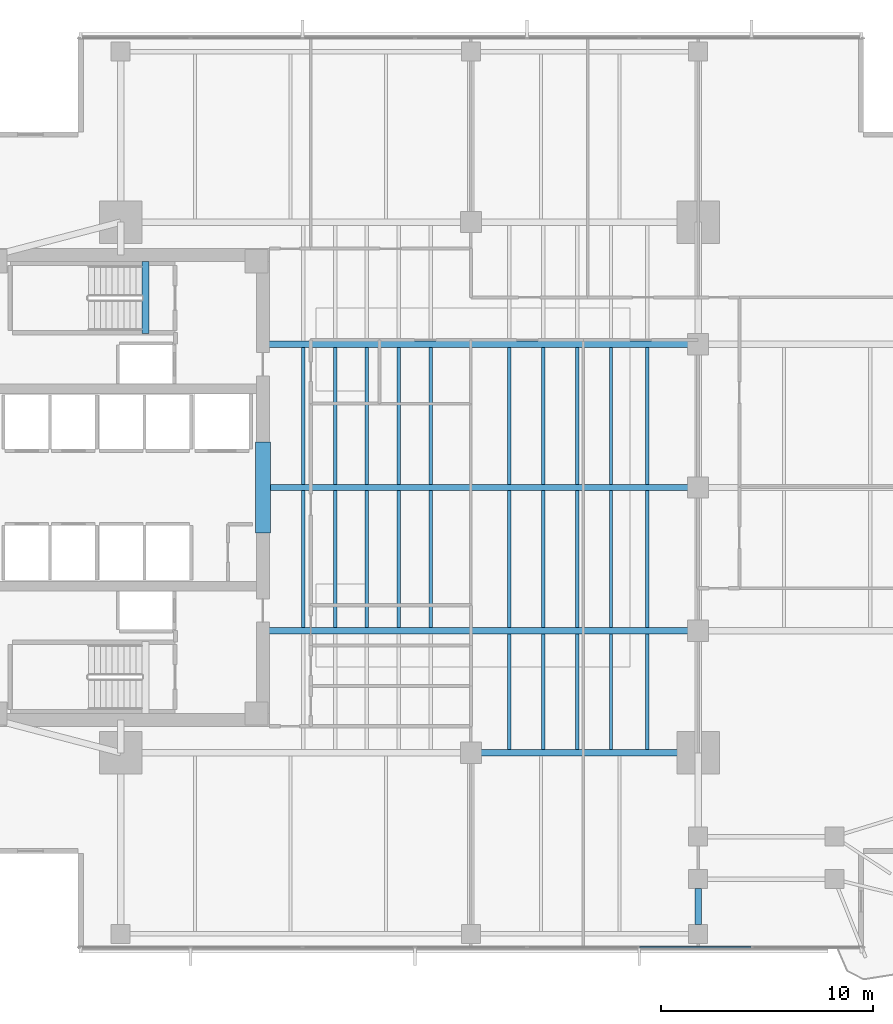
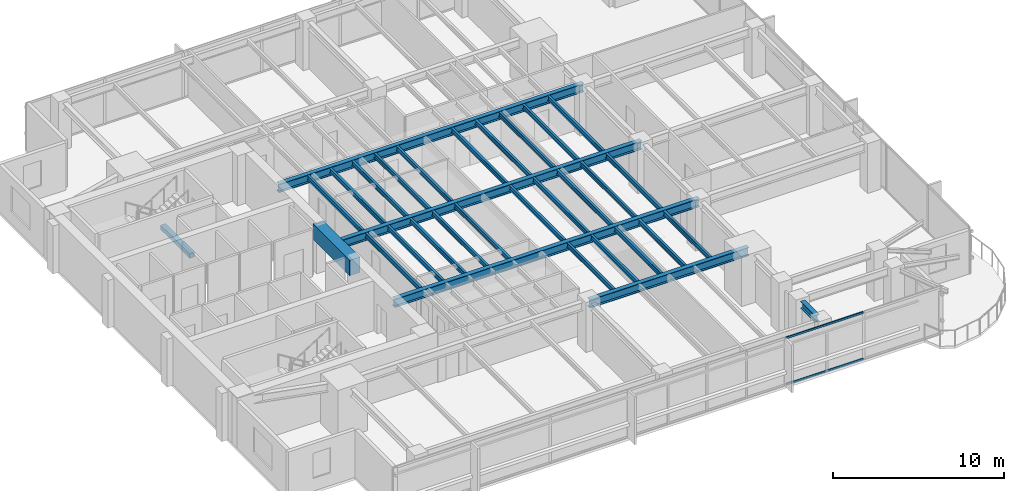
# One storey, part 3 of 14: 32 beams, 2 members, 1 element without a shape of its own.
"""IFC4 building model written with IfcOpenShell, lengths in metres."""

from ifc_helpers import new_model, si_unit, direction, frame, origin, origin_2d, place, context, subcontext, project, spatial, rectangle, i_section, extrude, material, layer, layer_set, material_profile, profile_set, type_object, element, aggregate, save


model = new_model("IFC4")

# Units and contexts
model_context = context("Model", 3, precision=1e-05, world=origin(), true_north=direction((0.0, 1.0)))
body_context = subcontext(model_context, "Body", "Model", "MODEL_VIEW")
ifc_project = project(units=[si_unit("LENGTHUNIT", "METRE"), si_unit("AREAUNIT", "SQUARE_METRE"), si_unit("VOLUMEUNIT", "CUBIC_METRE"), si_unit("PLANEANGLEUNIT", "RADIAN"), si_unit("MASSUNIT", "GRAM", prefix="KILO")], contexts=[model_context])

# Site, building, storey
site_placement = place(None, origin())
site = spatial("IfcSite", under=ifc_project, at=site_placement, CompositionType="ELEMENT")
building_placement = place(site_placement, origin())
building = spatial("IfcBuilding", under=site, at=building_placement, Name="Kinhvarn Gate Tower", CompositionType="ELEMENT")
storey_placement = place(building_placement, frame((0.0, 0.0, 120.0)))
storey = spatial("IfcBuildingStorey", under=building, at=storey_placement, Name="L31", CompositionType="ELEMENT", Elevation=120.0)

# Beams
ifc_material_1 = material(Name="Concrete C70/85", Category="concrete")
ifc_material_profile_1 = material_profile(ifc_material_1, rectangle(XDim=0.699951171875, YDim=1.10009765625, at=origin_2d()), Name="RC 700x1100")
ifc_profile_set_1 = profile_set([ifc_material_profile_1], Name="Concrete C70/85")
beam_type_1 = type_object("IfcBeamType", Name="BM-CB-1100", PredefinedType="LINTEL", material=ifc_profile_set_1)
beam_1_placement = place(storey_placement, frame((17.699951171875, 23.10009765625, 2.820068359375), z_axis=(0.0, 1.0, 0.0), x_axis=(-1.0, 0.0, 0.0)))
element("IfcBeam", 1, at=beam_1_placement, inside=storey, type_object=beam_type_1, Name="Core East Portal Coupling Beam L31", PredefinedType="LINTEL", context=body_context, shape_type="SweptSolid", body=[
    extrude(rectangle(XDim=0.699951171875, YDim=1.10009765625, at=origin_2d()), origin(), (0.0, 0.0, 1.0), 4.2998046875),
])
ifc_material_2 = material(Name="Concrete C50/60", Category="concrete")
ifc_material_profile_2 = material_profile(ifc_material_2, rectangle(XDim=0.340087890625, YDim=0.320068359375, at=origin_2d()), Name="RC 340x320")
ifc_profile_set_2 = profile_set([ifc_material_profile_2], Name="Concrete C50/60")
beam_type_2 = type_object("IfcBeamType", Name="BM-LND-500", PredefinedType="BEAM", material=ifc_profile_set_2)
beam_2_placement = place(storey_placement, frame((12.1650390625, 32.5, -0.159912109375), z_axis=(0.0, 1.0, 0.0), x_axis=(-1.0, 0.0, 0.0)))
element("IfcBeam", 2, at=beam_2_placement, inside=storey, type_object=beam_type_2, Name="Stair ST2 Landing Nosing Beam (L31)", PredefinedType="BEAM", context=body_context, shape_type="SweptSolid", body=[
    extrude(rectangle(XDim=0.340087890625, YDim=0.320068359375, at=origin_2d()), origin(), (0.0, 0.0, 1.0), 3.39990234375),
])

# Curtain wall, members
ifc_material_3 = material(Name="Anodised aluminium AW-6063", Category="aluminium")
ifc_layer = layer(ifc_material_3, 0.179931640625)
ifc_layer_set = layer_set([ifc_layer], Name="Anodised aluminium AW-6063")
curtain_wall_type = type_object("IfcCurtainWallType", Name="CW-SYS-3", PredefinedType="NOTDEFINED", material=ifc_layer_set)
curtain_wall_placement = place(storey_placement, origin())
curtain_wall = element("IfcCurtainWall", 3, at=curtain_wall_placement, inside=storey, type_object=curtain_wall_type, Name="Curtain Wall CW3 (L31)", PredefinedType="NOTDEFINED")
ifc_material_profile_3 = material_profile(ifc_material_3, rectangle(XDim=0.070068359375, YDim=0.139892578125, at=origin_2d()), Name="ALU 70x140")
ifc_profile_set_3 = profile_set([ifc_material_profile_3], Name="Anodised aluminium AW-6063")
member_type = type_object("IfcMemberType", Name="CW-TRN-140", PredefinedType="USERDEFINED", material=ifc_profile_set_3)
member_1_placement = place(storey_placement, frame((35.461181640625, 3.590087890625, 0.034912109375), z_axis=(1.0, 0.0, 0.0), x_axis=(0.0, 1.0, 0.0)))
member_1 = element("IfcMember", 4, at=member_1_placement, type_object=member_type, Name="CW3 transom 6.1", ObjectType="TRANSOM", PredefinedType="USERDEFINED", context=body_context, shape_type="SweptSolid", body=[
    extrude(rectangle(XDim=0.070068359375, YDim=0.139892578125, at=origin_2d()), origin(), (0.0, 0.0, 1.0), 5.220703125),
])
member_2_placement = place(storey_placement, frame((35.461181640625, 3.590087890625, 3.3349609375), z_axis=(1.0, 0.0, 0.0), x_axis=(0.0, 1.0, 0.0)))
member_2 = element("IfcMember", 5, at=member_2_placement, type_object=member_type, Name="CW3 transom 6.2", ObjectType="TRANSOM", PredefinedType="USERDEFINED", context=body_context, shape_type="SweptSolid", body=[
    extrude(rectangle(XDim=0.070068359375, YDim=0.139892578125, at=origin_2d()), origin(), (0.0, 0.0, 1.0), 5.220703125),
])
aggregate(curtain_wall, [member_1, member_2])

# Beams
ifc_material_4 = material(Name="Steel S355", Category="steel")
ifc_material_profile_4 = material_profile(ifc_material_4, i_section(OverallWidth=0.300048828125, OverallDepth=0.5, WebThickness=0.014404296875, FlangeThickness=0.028076171875, at=origin_2d()), Name="HEB 500")
ifc_profile_set_4 = profile_set([ifc_material_profile_4], Name="Steel S355")
beam_type_3 = type_object("IfcBeamType", Name="STL-HEB500", PredefinedType="BEAM", material=ifc_profile_set_4)
beam_3_placement = place(storey_placement, frame((38.199951171875, 4.655029296875, 3.1201171875), z_axis=(0.0, 1.0, 0.0), x_axis=(-1.0, 0.0, 0.0)))
element("IfcBeam", 6, at=beam_3_placement, inside=storey, type_object=beam_type_3, Name="Floor Beam PG-14 (L31 MCE-S-A0)", PredefinedType="BEAM", context=body_context, shape_type="SweptSolid", body=[
    extrude(i_section(OverallWidth=0.300048828125, OverallDepth=0.5, WebThickness=0.014404296875, FlangeThickness=0.028076171875, at=origin_2d()), origin(), (0.0, 0.0, 1.0), 1.7099609375),
])
ifc_material_profile_5 = material_profile(ifc_material_4, i_section(OverallWidth=0.300048828125, OverallDepth=0.60009765625, WebThickness=0.015380859375, FlangeThickness=0.030029296875, at=origin_2d()), Name="HEB 600")
ifc_profile_set_5 = profile_set([ifc_material_profile_5], Name="Steel S355")
beam_type_4 = type_object("IfcBeamType", Name="STL-HEB600", PredefinedType="BEAM", material=ifc_profile_set_5)
beam_4_placement = place(storey_placement, frame((27.5, 12.75, 3.070068359375), z_axis=(1.0, 0.0, 0.0), x_axis=(0.0, 1.0, 0.0)))
element("IfcBeam", 7, at=beam_4_placement, inside=storey, type_object=beam_type_4, Name="Floor Beam PG-16 (L31 MG-S2)", PredefinedType="BEAM", context=body_context, shape_type="SweptSolid", body=[
    extrude(i_section(OverallWidth=0.300048828125, OverallDepth=0.60009765625, WebThickness=0.015380859375, FlangeThickness=0.030029296875, at=origin_2d()), origin(), (0.0, 0.0, 1.0), 10.699951171875),
])
beam_5_placement = place(storey_placement, frame((17.64990234375, 18.5, 3.070068359375), z_axis=(1.0, 0.0, 0.0), x_axis=(0.0, 1.0, 0.0)))
element("IfcBeam", 8, at=beam_5_placement, inside=storey, type_object=beam_type_4, Name="Floor Beam PG-16 (L31 EW1-Y18)", PredefinedType="BEAM", context=body_context, shape_type="SweptSolid", body=[
    extrude(i_section(OverallWidth=0.300048828125, OverallDepth=0.60009765625, WebThickness=0.015380859375, FlangeThickness=0.030029296875, at=origin_2d()), origin(), (0.0, 0.0, 1.0), 20.550048828125),
])
beam_6_placement = place(storey_placement, frame((18.050048828125, 25.25, 3.070068359375), z_axis=(1.0, 0.0, 0.0), x_axis=(0.0, 1.0, 0.0)))
element("IfcBeam", 9, at=beam_6_placement, inside=storey, type_object=beam_type_4, Name="Floor Beam PG-16 (L31 EW1-Y25)", PredefinedType="BEAM", context=body_context, shape_type="SweptSolid", body=[
    extrude(i_section(OverallWidth=0.300048828125, OverallDepth=0.60009765625, WebThickness=0.015380859375, FlangeThickness=0.030029296875, at=origin_2d()), origin(), (0.0, 0.0, 1.0), 20.14990234375),
])
beam_7_placement = place(storey_placement, frame((17.64990234375, 32.0, 3.070068359375), z_axis=(1.0, 0.0, 0.0), x_axis=(0.0, 1.0, 0.0)))
element("IfcBeam", 10, at=beam_7_placement, inside=storey, type_object=beam_type_4, Name="Floor Beam PG-16 (L31 EW1-Y32)", PredefinedType="BEAM", context=body_context, shape_type="SweptSolid", body=[
    extrude(i_section(OverallWidth=0.300048828125, OverallDepth=0.60009765625, WebThickness=0.015380859375, FlangeThickness=0.030029296875, at=origin_2d()), origin(), (0.0, 0.0, 1.0), 20.550048828125),
])
ifc_material_profile_6 = material_profile(ifc_material_4, i_section(OverallWidth=0.159912109375, OverallDepth=0.330078125, WebThickness=0.007568359375, FlangeThickness=0.011474609375, at=origin_2d()), Name="IPE 330")
ifc_profile_set_6 = profile_set([ifc_material_profile_6], Name="Steel S355")
beam_type_5 = type_object("IfcBeamType", Name="STL-IPE330", PredefinedType="JOIST", material=ifc_profile_set_6)
for number, where, z_axis, x_axis, name in (
    (11, (19.60009765625, 18.64990234375, 3.205078125), (0.0, 1.0, 0.0), (-1.0, 0.0, 0.0), "Floor Joist SB-03 (L31 JC-X196-1)"),
    (12, (19.60009765625, 25.39990234375, 3.205078125), (0.0, 1.0, 0.0), (-1.0, 0.0, 0.0), "Floor Joist SB-03 (L31 JC-X196-2)"),
    (13, (21.10009765625, 18.64990234375, 3.205078125), (0.0, 1.0, 0.0), (-1.0, 0.0, 0.0), "Floor Joist SB-03 (L31 JC-X211-1)"),
    (14, (21.10009765625, 25.39990234375, 3.205078125), (0.0, 1.0, 0.0), (-1.0, 0.0, 0.0), "Floor Joist SB-03 (L31 JC-X211-2)"),
    (15, (22.60009765625, 18.64990234375, 3.205078125), (0.0, 1.0, 0.0), (-1.0, 0.0, 0.0), "Floor Joist SB-03 (L31 JC-X226-1)"),
    (16, (22.60009765625, 25.39990234375, 3.205078125), (0.0, 1.0, 0.0), (-1.0, 0.0, 0.0), "Floor Joist SB-03 (L31 JC-X226-2)"),
    (17, (24.10009765625, 18.64990234375, 3.205078125), (0.0, 1.0, 0.0), (-1.0, 0.0, 0.0), "Floor Joist SB-03 (L31 JC-X241-1)"),
    (18, (24.10009765625, 25.39990234375, 3.205078125), (0.0, 1.0, 0.0), (-1.0, 0.0, 0.0), "Floor Joist SB-03 (L31 JC-X241-2)"),
    (19, (25.60009765625, 18.64990234375, 3.205078125), (0.0, 1.0, 0.0), (-1.0, 0.0, 0.0), "Floor Joist SB-03 (L31 JC-X256-1)"),
    (20, (25.60009765625, 25.39990234375, 3.205078125), (0.0, 1.0, 0.0), (-1.0, 0.0, 0.0), "Floor Joist SB-03 (L31 JC-X256-2)"),
):
    element("IfcBeam", number, at=place(storey_placement, frame(where, z_axis=z_axis, x_axis=x_axis)), inside=storey, type_object=beam_type_5, Name=name, PredefinedType="JOIST", context=body_context, shape_type="SweptSolid", body=[
        extrude(i_section(OverallWidth=0.159912109375, OverallDepth=0.330078125, WebThickness=0.007568359375, FlangeThickness=0.011474609375, at=origin_2d()), origin(), (0.0, 0.0, 1.0), 6.4501953125),
    ])
beam_8_placement = place(storey_placement, frame((29.300048828125, 12.89990234375, 3.205078125), z_axis=(0.0, 1.0, 0.0), x_axis=(-1.0, 0.0, 0.0)))
element("IfcBeam", 21, at=beam_8_placement, inside=storey, type_object=beam_type_5, Name="Floor Joist SB-03 (L31 JC-X293-0)", PredefinedType="JOIST", context=body_context, shape_type="SweptSolid", body=[
    extrude(i_section(OverallWidth=0.159912109375, OverallDepth=0.330078125, WebThickness=0.007568359375, FlangeThickness=0.011474609375, at=origin_2d()), origin(), (0.0, 0.0, 1.0), 5.4501953125),
])
for number, where, z_axis, x_axis, name in (
    (22, (29.300048828125, 18.64990234375, 3.205078125), (0.0, 1.0, 0.0), (-1.0, 0.0, 0.0), "Floor Joist SB-03 (L31 JC-X293-1)"),
    (23, (29.300048828125, 25.39990234375, 3.205078125), (0.0, 1.0, 0.0), (-1.0, 0.0, 0.0), "Floor Joist SB-03 (L31 JC-X293-2)"),
):
    element("IfcBeam", number, at=place(storey_placement, frame(where, z_axis=z_axis, x_axis=x_axis)), inside=storey, type_object=beam_type_5, Name=name, PredefinedType="JOIST", context=body_context, shape_type="SweptSolid", body=[
        extrude(i_section(OverallWidth=0.159912109375, OverallDepth=0.330078125, WebThickness=0.007568359375, FlangeThickness=0.011474609375, at=origin_2d()), origin(), (0.0, 0.0, 1.0), 6.4501953125),
    ])
beam_9_placement = place(storey_placement, frame((30.89990234375, 12.89990234375, 3.205078125), z_axis=(0.0, 1.0, 0.0), x_axis=(-1.0, 0.0, 0.0)))
element("IfcBeam", 24, at=beam_9_placement, inside=storey, type_object=beam_type_5, Name="Floor Joist SB-03 (L31 JC-X309-0)", PredefinedType="JOIST", context=body_context, shape_type="SweptSolid", body=[
    extrude(i_section(OverallWidth=0.159912109375, OverallDepth=0.330078125, WebThickness=0.007568359375, FlangeThickness=0.011474609375, at=origin_2d()), origin(), (0.0, 0.0, 1.0), 5.4501953125),
])
for number, where, z_axis, x_axis, name in (
    (25, (30.89990234375, 18.64990234375, 3.205078125), (0.0, 1.0, 0.0), (-1.0, 0.0, 0.0), "Floor Joist SB-03 (L31 JC-X309-1)"),
    (26, (30.89990234375, 25.39990234375, 3.205078125), (0.0, 1.0, 0.0), (-1.0, 0.0, 0.0), "Floor Joist SB-03 (L31 JC-X309-2)"),
):
    element("IfcBeam", number, at=place(storey_placement, frame(where, z_axis=z_axis, x_axis=x_axis)), inside=storey, type_object=beam_type_5, Name=name, PredefinedType="JOIST", context=body_context, shape_type="SweptSolid", body=[
        extrude(i_section(OverallWidth=0.159912109375, OverallDepth=0.330078125, WebThickness=0.007568359375, FlangeThickness=0.011474609375, at=origin_2d()), origin(), (0.0, 0.0, 1.0), 6.4501953125),
    ])
beam_10_placement = place(storey_placement, frame((32.5, 12.89990234375, 3.205078125), z_axis=(0.0, 1.0, 0.0), x_axis=(-1.0, 0.0, 0.0)))
element("IfcBeam", 27, at=beam_10_placement, inside=storey, type_object=beam_type_5, Name="Floor Joist SB-03 (L31 JC-X325-0)", PredefinedType="JOIST", context=body_context, shape_type="SweptSolid", body=[
    extrude(i_section(OverallWidth=0.159912109375, OverallDepth=0.330078125, WebThickness=0.007568359375, FlangeThickness=0.011474609375, at=origin_2d()), origin(), (0.0, 0.0, 1.0), 5.4501953125),
])
for number, where, z_axis, x_axis, name in (
    (28, (32.5, 18.64990234375, 3.205078125), (0.0, 1.0, 0.0), (-1.0, 0.0, 0.0), "Floor Joist SB-03 (L31 JC-X325-1)"),
    (29, (32.5, 25.39990234375, 3.205078125), (0.0, 1.0, 0.0), (-1.0, 0.0, 0.0), "Floor Joist SB-03 (L31 JC-X325-2)"),
):
    element("IfcBeam", number, at=place(storey_placement, frame(where, z_axis=z_axis, x_axis=x_axis)), inside=storey, type_object=beam_type_5, Name=name, PredefinedType="JOIST", context=body_context, shape_type="SweptSolid", body=[
        extrude(i_section(OverallWidth=0.159912109375, OverallDepth=0.330078125, WebThickness=0.007568359375, FlangeThickness=0.011474609375, at=origin_2d()), origin(), (0.0, 0.0, 1.0), 6.4501953125),
    ])
beam_11_placement = place(storey_placement, frame((34.10009765625, 12.89990234375, 3.205078125), z_axis=(0.0, 1.0, 0.0), x_axis=(-1.0, 0.0, 0.0)))
element("IfcBeam", 30, at=beam_11_placement, inside=storey, type_object=beam_type_5, Name="Floor Joist SB-03 (L31 JC-X341-0)", PredefinedType="JOIST", context=body_context, shape_type="SweptSolid", body=[
    extrude(i_section(OverallWidth=0.159912109375, OverallDepth=0.330078125, WebThickness=0.007568359375, FlangeThickness=0.011474609375, at=origin_2d()), origin(), (0.0, 0.0, 1.0), 5.4501953125),
])
for number, where, z_axis, x_axis, name in (
    (31, (34.10009765625, 18.64990234375, 3.205078125), (0.0, 1.0, 0.0), (-1.0, 0.0, 0.0), "Floor Joist SB-03 (L31 JC-X341-1)"),
    (32, (34.10009765625, 25.39990234375, 3.205078125), (0.0, 1.0, 0.0), (-1.0, 0.0, 0.0), "Floor Joist SB-03 (L31 JC-X341-2)"),
):
    element("IfcBeam", number, at=place(storey_placement, frame(where, z_axis=z_axis, x_axis=x_axis)), inside=storey, type_object=beam_type_5, Name=name, PredefinedType="JOIST", context=body_context, shape_type="SweptSolid", body=[
        extrude(i_section(OverallWidth=0.159912109375, OverallDepth=0.330078125, WebThickness=0.007568359375, FlangeThickness=0.011474609375, at=origin_2d()), origin(), (0.0, 0.0, 1.0), 6.4501953125),
    ])
beam_12_placement = place(storey_placement, frame((35.800048828125, 12.89990234375, 3.205078125), z_axis=(0.0, 1.0, 0.0), x_axis=(-1.0, 0.0, 0.0)))
element("IfcBeam", 33, at=beam_12_placement, inside=storey, type_object=beam_type_5, Name="Floor Joist SB-03 (L31 JC-X358-0)", PredefinedType="JOIST", context=body_context, shape_type="SweptSolid", body=[
    extrude(i_section(OverallWidth=0.159912109375, OverallDepth=0.330078125, WebThickness=0.007568359375, FlangeThickness=0.011474609375, at=origin_2d()), origin(), (0.0, 0.0, 1.0), 5.4501953125),
])
for number, where, z_axis, x_axis, name in (
    (34, (35.800048828125, 18.64990234375, 3.205078125), (0.0, 1.0, 0.0), (-1.0, 0.0, 0.0), "Floor Joist SB-03 (L31 JC-X358-1)"),
    (35, (35.800048828125, 25.39990234375, 3.205078125), (0.0, 1.0, 0.0), (-1.0, 0.0, 0.0), "Floor Joist SB-03 (L31 JC-X358-2)"),
):
    element("IfcBeam", number, at=place(storey_placement, frame(where, z_axis=z_axis, x_axis=x_axis)), inside=storey, type_object=beam_type_5, Name=name, PredefinedType="JOIST", context=body_context, shape_type="SweptSolid", body=[
        extrude(i_section(OverallWidth=0.159912109375, OverallDepth=0.330078125, WebThickness=0.007568359375, FlangeThickness=0.011474609375, at=origin_2d()), origin(), (0.0, 0.0, 1.0), 6.4501953125),
    ])

save(model, "model.ifc")
